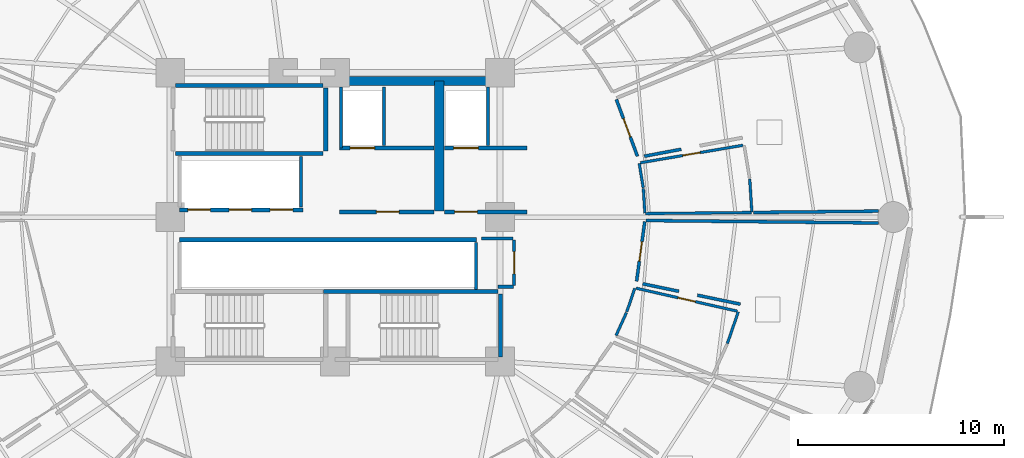
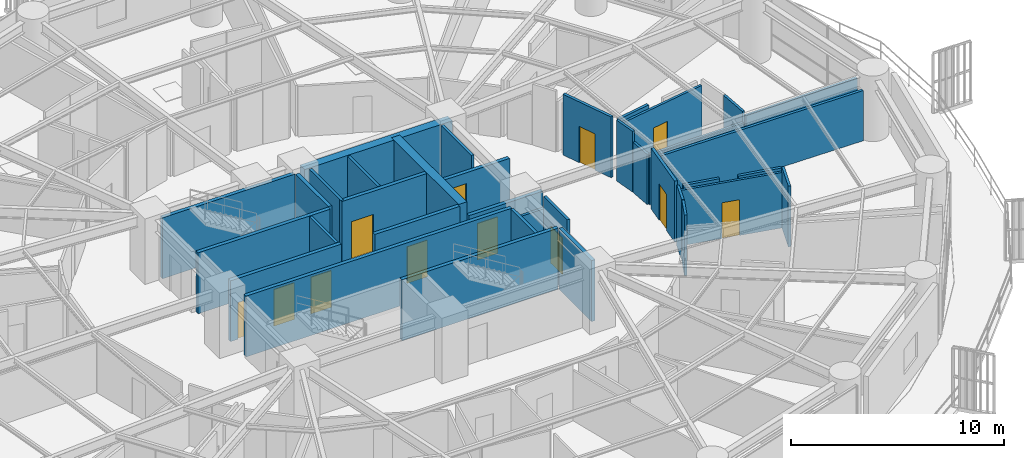
# One storey, part 26 of 35: 37 walls, 12 doors, 12 openings.
"""IFC4 building model written with IfcOpenShell, lengths in metres."""

from ifc_helpers import new_model, si_unit, direction, frame, frame_2d, origin, place, context, subcontext, project, spatial, rectangle, extrude, material, layer, layer_set, type_object, element, fill, save


model = new_model("IFC4")

# Units and contexts
model_context = context("Model", 3, precision=1e-05, world=origin(), true_north=direction((0.0, 1.0)))
body_context = subcontext(model_context, "Body", "Model", "MODEL_VIEW")
ifc_project = project(units=[si_unit("LENGTHUNIT", "METRE"), si_unit("AREAUNIT", "SQUARE_METRE"), si_unit("VOLUMEUNIT", "CUBIC_METRE"), si_unit("PLANEANGLEUNIT", "RADIAN"), si_unit("MASSUNIT", "GRAM", prefix="KILO")], contexts=[model_context])

# Site, building, storey
site_placement = place(None, origin())
site = spatial("IfcSite", under=ifc_project, at=site_placement, CompositionType="ELEMENT")
building_placement = place(site_placement, origin())
building = spatial("IfcBuilding", under=site, at=building_placement, Name="Kelanora Arch Commons", CompositionType="ELEMENT")
storey_placement = place(building_placement, frame((0.0, 0.0, 22.5)))
storey = spatial("IfcBuildingStorey", under=building, at=storey_placement, Name="L05", CompositionType="ELEMENT", Elevation=22.5)

# Walls
ifc_material_1 = material(Name="Autoclaved aerated concrete blockwork with fire plaster", Category="masonry")
ifc_layer_1 = layer(ifc_material_1, 0.14990234375)
ifc_layer_set_1 = layer_set([ifc_layer_1], Name="Autoclaved aerated concrete blockwork with fire plaster")
wall_type_1 = type_object("IfcWallType", Name="W-COMP-150", PredefinedType="PARTITIONING", material=ifc_layer_set_1)
wall_1_placement = place(storey_placement, frame((74.280029296875, 61.35009765625, 0.0), z_axis=(0.0, 0.0, 1.0), x_axis=(0.0, 1.0, 0.0)))
element("IfcWall", 1, at=wall_1_placement, inside=storey, type_object=wall_type_1, Name="Firefighting Lift 1 West Shaft Wall L05", PredefinedType="PARTITIONING", context=body_context, shape_type="SweptSolid", body=[
    extrude(rectangle(XDim=2.969970703125, YDim=0.14990234375, at=frame_2d((1.48486328125, 0.0))), origin(), (0.0, 0.0, 1.0), 3.47998046875),
])
for number, where, z_axis, x_axis, name in (
    (2, (76.360107421875, 61.47998046875, 0.0), (0.0, 0.0, 1.0), (0.0, 1.0, 0.0), "Firefighting Lift 1 East Shaft Wall L05"),
    (3, (81.419921875, 61.47998046875, 0.0), (0.0, 0.0, 1.0), (0.0, 1.0, 0.0), "Firefighting Lift 2 East Shaft Wall L05"),
):
    element("IfcWall", number, at=place(storey_placement, frame(where, z_axis=z_axis, x_axis=x_axis)), inside=storey, type_object=wall_type_1, Name=name, PredefinedType="PARTITIONING", context=body_context, shape_type="SweptSolid", body=[
        extrude(rectangle(XDim=2.840087890625, YDim=0.14990234375, at=frame_2d((1.419921875, 0.0))), origin(), (0.0, 0.0, 1.0), 3.47998046875),
    ])
wall_2_placement = place(storey_placement, frame((72.340087890625, 58.47998046875, 0.0), z_axis=(0.0, 0.0, 1.0), x_axis=(0.0, 1.0, 0.0)))
element("IfcWall", 4, at=wall_2_placement, inside=storey, type_object=wall_type_1, Name="Low-Rise Lift Bank East Wall L05", PredefinedType="PARTITIONING", context=body_context, shape_type="SweptSolid", body=[
    extrude(rectangle(XDim=2.4599609375, YDim=0.14990234375, at=frame_2d((1.22998046875, 0.0))), origin(), (0.0, 0.0, 1.0), 3.47998046875),
])
wall_3_placement = place(storey_placement, frame((80.840087890625, 54.47998046875, 0.0), z_axis=(0.0, 0.0, 1.0), x_axis=(0.0, 1.0, 0.0)))
element("IfcWall", 5, at=wall_3_placement, inside=storey, type_object=wall_type_1, Name="South Lift Bank East Wall L05", PredefinedType="PARTITIONING", context=body_context, shape_type="SweptSolid", body=[
    extrude(rectangle(XDim=2.2900390625, YDim=0.14990234375, at=frame_2d((1.14501953125, 0.0))), origin(), (0.0, 0.0, 1.0), 3.47998046875),
])

# Wall, opening, door
wall_4_placement = place(storey_placement, frame((82.679931640625, 54.679931640625, 0.0), z_axis=(0.0, 0.0, 1.0), x_axis=(0.0, 1.0, 0.0)))
wall_4 = element("IfcWall", 6, at=wall_4_placement, inside=storey, type_object=wall_type_1, Name="Core Housekeeping Store L05 Entry Partition", PredefinedType="PARTITIONING", context=body_context, shape_type="SweptSolid", body=[
    extrude(rectangle(XDim=2.2099609375, YDim=0.14990234375, at=frame_2d((1.10498046875, 0.0))), origin(), (0.0, 0.0, 1.0), 3.47998046875),
])
opening_1_placement = place(wall_4_placement, frame((0.56494140625, 0.0, 0.0)))
opening_1 = element("IfcOpeningElement", 7, at=opening_1_placement, cuts=wall_4, Name="Opening D-PLT1", PredefinedType="OPENING", context=body_context, shape_type="SweptSolid", body=[
    extrude(rectangle(XDim=1.080078125, YDim=2.10009765625, at=frame_2d((0.5400390625, 1.050048828125))), frame((0.0, 0.0849609375, 0.0), z_axis=(0.0, -1.0, 0.0), x_axis=(1.0, 0.0, 0.0)), (0.0, 0.0, 1.0), 0.169921875),
])
ifc_material_2 = material(Name="Galvanised steel plant and riser fire door", Category="steel")
door_type_1 = type_object("IfcDoorType", Name="D-PLT-110", OperationType="NOTDEFINED", PredefinedType="DOOR", material=ifc_material_2)
door_1_placement = place(opening_1_placement, origin())
door_1 = element("IfcDoor", 8, at=door_1_placement, inside=storey, type_object=door_type_1, Name="Core Housekeeping Store L05 Door", OperationType="SINGLE_SWING_LEFT", OverallHeight=2.10009765625, OverallWidth=1.080078125, PredefinedType="DOOR", context=body_context, shape_type="SweptSolid", body=[
    extrude(rectangle(XDim=1.080078125, YDim=2.10009765625, at=frame_2d((0.5400390625, 1.050048828125))), frame((0.0, 0.02490234375, 0.0), z_axis=(0.0, -1.0, 0.0), x_axis=(1.0, 0.0, 0.0)), (0.0, 0.0, 1.0), 0.050048828125),
])
fill(opening_1, door_1)

wall_5_placement = place(storey_placement, frame((88.6669921875, 60.9482421875, 0.0), z_axis=(0.0, 0.0, 1.0), x_axis=(-0.348640514247, 0.937256524024, 0.0)))
wall_5 = element("IfcWall", 9, at=wall_5_placement, inside=storey, type_object=wall_type_1, Name="Co-Living Studio L05-01 Entry Partition", PredefinedType="PARTITIONING", context=body_context, shape_type="SweptSolid", body=[
    extrude(rectangle(XDim=2.943115234375, YDim=0.14990234375, at=frame_2d((1.4716796875, 0.0))), origin(), (0.0, 0.0, 1.0), 3.47998046875),
])
opening_2_placement = place(wall_5_placement, frame((0.9970703125, 0.0, 0.0)))
opening_2 = element("IfcOpeningElement", 10, at=opening_2_placement, cuts=wall_5, Name="Opening D-CLU1", PredefinedType="OPENING", context=body_context, shape_type="SweptSolid", body=[
    extrude(rectangle(XDim=0.949951171875, YDim=2.080078125, at=frame_2d((0.47509765625, 1.0400390625))), frame((0.0, 0.0849609375, 0.0), z_axis=(0.0, -1.0, 0.0), x_axis=(1.0, 0.0, 0.0)), (0.0, 0.0, 1.0), 0.169921875),
])
ifc_material_3 = material(Name="Solid-core acoustic timber cluster entry fire door", Category="wood")
door_type_2 = type_object("IfcDoorType", Name="D-CLU-95", OperationType="NOTDEFINED", PredefinedType="DOOR", material=ifc_material_3)
door_2_placement = place(opening_2_placement, origin())
door_2 = element("IfcDoor", 11, at=door_2_placement, inside=storey, type_object=door_type_2, Name="Co-Living Studio L05-01 Door", OperationType="SINGLE_SWING_LEFT", OverallHeight=2.080078125, OverallWidth=0.949951171875, PredefinedType="DOOR", context=body_context, shape_type="SweptSolid", body=[
    extrude(rectangle(XDim=0.949951171875, YDim=2.080078125, at=frame_2d((0.47509765625, 1.0400390625))), frame((0.0, 0.02490234375, 0.0), z_axis=(0.0, -1.0, 0.0), x_axis=(1.0, 0.0, 0.0)), (0.0, 0.0, 1.0), 0.050048828125),
])
fill(opening_2, door_2)

wall_6_placement = place(storey_placement, frame((88.625, 54.885498046875, 0.0), z_axis=(0.0, 0.0, 1.0), x_axis=(0.135838186105, 0.990731036758, 0.0)))
wall_6 = element("IfcWall", 12, at=wall_6_placement, inside=storey, type_object=wall_type_1, Name="Co-Living Studio L05-14 Entry Partition", PredefinedType="PARTITIONING", context=body_context, shape_type="SweptSolid", body=[
    extrude(rectangle(XDim=2.915283203125, YDim=0.14990234375, at=frame_2d((1.45751953125, 0.0))), origin(), (0.0, 0.0, 1.0), 3.47998046875),
])
opening_3_placement = place(wall_6_placement, frame((0.98291015625, 0.0, 0.0)))
opening_3 = element("IfcOpeningElement", 13, at=opening_3_placement, cuts=wall_6, Name="Opening D-CLU1", PredefinedType="OPENING", context=body_context, shape_type="SweptSolid", body=[
    extrude(rectangle(XDim=0.949951171875, YDim=2.080078125, at=frame_2d((0.47509765625, 1.0400390625))), frame((0.0, 0.0849609375, 0.0), z_axis=(0.0, -1.0, 0.0), x_axis=(1.0, 0.0, 0.0)), (0.0, 0.0, 1.0), 0.169921875),
])
door_3_placement = place(opening_3_placement, origin())
door_3 = element("IfcDoor", 14, at=door_3_placement, inside=storey, type_object=door_type_2, Name="Co-Living Studio L05-14 Door", OperationType="SINGLE_SWING_LEFT", OverallHeight=2.080078125, OverallWidth=0.949951171875, PredefinedType="DOOR", context=body_context, shape_type="SweptSolid", body=[
    extrude(rectangle(XDim=0.949951171875, YDim=2.080078125, at=frame_2d((0.47509765625, 1.0400390625))), frame((0.0, 0.02490234375, 0.0), z_axis=(0.0, -1.0, 0.0), x_axis=(1.0, 0.0, 0.0)), (0.0, 0.0, 1.0), 0.050048828125),
])
fill(opening_3, door_3)

# Walls
wall_7_placement = place(storey_placement, frame((81.89990234375, 54.6201171875, 0.0), z_axis=(0.0, 0.0, 1.0), x_axis=(1.0, 0.0, 0.0)))
element("IfcWall", 15, at=wall_7_placement, inside=storey, type_object=wall_type_1, Name="Core Housekeeping Store L05 Enclosure Partition 1", PredefinedType="PARTITIONING", context=body_context, shape_type="SweptSolid", body=[
    extrude(rectangle(XDim=0.739990234375, YDim=0.14990234375, at=frame_2d((0.3701171875, 0.0))), origin(), (0.0, 0.0, 1.0), 2.77490234375),
])
wall_8_placement = place(storey_placement, frame((82.639892578125, 56.949951171875, 0.0), z_axis=(0.0, 0.0, 1.0), x_axis=(-1.0, 0.0, 0.0)))
element("IfcWall", 16, at=wall_8_placement, inside=storey, type_object=wall_type_1, Name="Core Housekeeping Store L05 Enclosure Partition 3", PredefinedType="PARTITIONING", context=body_context, shape_type="SweptSolid", body=[
    extrude(rectangle(XDim=1.5498046875, YDim=0.14990234375, at=frame_2d((0.77490234375, 0.0))), origin(), (0.0, 0.0, 1.0), 2.77490234375),
])
wall_9_placement = place(storey_placement, frame((100.360107421875, 58.287109375, 0.0), z_axis=(0.0, 0.0, 1.0), x_axis=(-0.999943071294, -0.010670246996, 0.0)))
element("IfcWall", 17, at=wall_9_placement, inside=storey, type_object=wall_type_1, Name="Co-Living Studio L05-01 Enclosure Partition 5", PredefinedType="PARTITIONING", context=body_context, shape_type="SweptSolid", body=[
    extrude(rectangle(XDim=6.063232421875, YDim=0.14990234375, at=frame_2d((3.03173828125, 0.0))), origin(), (0.0, 0.0, 1.0), 3.235107421875),
])
wall_10_placement = place(storey_placement, frame((90.7890625, 61.289306640625, 0.0), z_axis=(0.0, 0.0, 1.0), x_axis=(-0.98259072308, -0.185783397852, 0.0)))
element("IfcWall", 18, at=wall_10_placement, inside=storey, type_object=wall_type_1, Name="Co-Living Studio L05-01 Enclosure Partition 7", PredefinedType="PARTITIONING", context=body_context, shape_type="SweptSolid", body=[
    extrude(rectangle(XDim=1.823974609375, YDim=0.14990234375, at=frame_2d((0.912109375, 0.0))), origin(), (0.0, 0.0, 1.0), 3.235107421875),
])
wall_11_placement = place(storey_placement, frame((89.069091796875, 57.83251953125, 0.0), z_axis=(0.0, 0.0, 1.0), x_axis=(0.999943877154, -0.010594458135, 0.0)))
element("IfcWall", 19, at=wall_11_placement, inside=storey, type_object=wall_type_1, Name="Co-Living Studio L05-14 Enclosure Partition 2", PredefinedType="PARTITIONING", context=body_context, shape_type="SweptSolid", body=[
    extrude(rectangle(XDim=11.291748046875, YDim=0.14990234375, at=frame_2d((5.64599609375, 0.0))), origin(), (0.0, 0.0, 1.0), 2.875),
])
wall_12_placement = place(storey_placement, frame((93.662841796875, 53.773193359375, 0.0), z_axis=(0.0, 0.0, 1.0), x_axis=(-0.978922282622, 0.204233113343, 0.0)))
element("IfcWall", 20, at=wall_12_placement, inside=storey, type_object=wall_type_1, Name="Co-Living Studio L05-14 Enclosure Partition 7", PredefinedType="PARTITIONING", context=body_context, shape_type="SweptSolid", body=[
    extrude(rectangle(XDim=2.132568359375, YDim=0.14990234375, at=frame_2d((1.06640625, 0.0))), origin(), (0.0, 0.0, 1.0), 3.175048828125),
])
wall_13_placement = place(storey_placement, frame((90.674560546875, 54.396728515625, 0.0), z_axis=(0.0, 0.0, 1.0), x_axis=(-0.978929424395, 0.204198878681, 0.0)))
element("IfcWall", 21, at=wall_13_placement, inside=storey, type_object=wall_type_1, Name="Co-Living Studio L05-14 Enclosure Partition 7", PredefinedType="PARTITIONING", context=body_context, shape_type="SweptSolid", body=[
    extrude(rectangle(XDim=1.79345703125, YDim=0.14990234375, at=frame_2d((0.896728515625, 0.0))), origin(), (0.0, 0.0, 1.0), 3.235107421875),
])
ifc_material_4 = material(Name="Concrete C60/75", Category="concrete")
ifc_layer_2 = layer(ifc_material_4, 0.449951171875)
ifc_layer_set_2 = layer_set([ifc_layer_2], Name="Concrete C60/75")
wall_type_2 = type_object("IfcWallType", Name="W-CORE-450", PredefinedType="SHEAR", material=ifc_layer_set_2)
wall_14_placement = place(storey_placement, frame((74.0, 64.60009765625, 0.0), z_axis=(0.0, 0.0, 1.0), x_axis=(1.0, 0.0, 0.0)))
element("IfcWall", 22, at=wall_14_placement, inside=storey, type_object=wall_type_2, Name="Core Shear Spine L05-CN-E", PredefinedType="SHEAR", context=body_context, shape_type="SweptSolid", body=[
    extrude(rectangle(XDim=8.0, YDim=0.449951171875, at=frame_2d((4.0, 0.0))), origin(), (0.0, 0.0, 1.0), 3.489990234375),
])
wall_15_placement = place(storey_placement, frame((79.050048828125, 58.300048828125, 0.0), z_axis=(0.0, 0.0, 1.0), x_axis=(0.0, 1.0, 0.0)))
element("IfcWall", 23, at=wall_15_placement, inside=storey, type_object=wall_type_2, Name="Core Shear Spine L05-CE-N", PredefinedType="SHEAR", context=body_context, shape_type="SweptSolid", body=[
    extrude(rectangle(XDim=6.300048828125, YDim=0.449951171875, at=frame_2d((3.14990234375, 0.0))), origin(), (0.0, 0.0, 1.0), 3.489990234375),
])

# Wall, opening, door
ifc_material_5 = material(Name="Concrete C40/50", Category="concrete")
ifc_layer_3 = layer(ifc_material_5, 0.199951171875)
ifc_layer_set_3 = layer_set([ifc_layer_3], Name="Concrete C40/50")
wall_type_3 = type_object("IfcWallType", Name="W-FFL-200", PredefinedType="SOLIDWALL", material=ifc_layer_set_3)
wall_16_placement = place(storey_placement, frame((74.199951171875, 61.35009765625, 0.0), z_axis=(0.0, 0.0, 1.0), x_axis=(1.0, 0.0, 0.0)))
wall_16 = element("IfcWall", 24, at=wall_16_placement, inside=storey, type_object=wall_type_3, Name="Firefighting Lift 1 Shaft Front L05", PredefinedType="SOLIDWALL", context=body_context, shape_type="SweptSolid", body=[
    extrude(rectangle(XDim=4.60009765625, YDim=0.199951171875, at=frame_2d((2.300048828125, 0.0))), origin(), (0.0, 0.0, 1.0), 3.47998046875),
])
opening_4_placement = place(wall_16_placement, frame((0.52001953125, 0.0, 0.0)))
opening_4 = element("IfcOpeningElement", 25, at=opening_4_placement, cuts=wall_16, Name="Opening LD-FF", PredefinedType="OPENING", context=body_context, shape_type="SweptSolid", body=[
    extrude(rectangle(XDim=1.199951171875, YDim=2.14990234375, at=frame_2d((0.60009765625, 1.074951171875))), frame((0.0, 0.10986328125, 0.0), z_axis=(0.0, -1.0, 0.0), x_axis=(1.0, 0.0, 0.0)), (0.0, 0.0, 1.0), 0.219970703125),
])
ifc_material_6 = material(Name="Fire-rated firefighters lift sliding landing door")
door_type_3 = type_object("IfcDoorType", Name="D-LIFT-FF", OperationType="NOTDEFINED", PredefinedType="DOOR", material=ifc_material_6)
door_4_placement = place(opening_4_placement, origin())
door_4 = element("IfcDoor", 26, at=door_4_placement, inside=storey, type_object=door_type_3, Name="Firefighting Lift LF-FF1 Landing Door L05", OperationType="DOUBLE_DOOR_SLIDING", OverallHeight=2.14990234375, OverallWidth=1.199951171875, PredefinedType="DOOR", context=body_context, shape_type="SweptSolid", body=[
    extrude(rectangle(XDim=1.199951171875, YDim=2.14990234375, at=frame_2d((0.60009765625, 1.074951171875))), frame((0.0, 0.02490234375, 0.0), z_axis=(0.0, -1.0, 0.0), x_axis=(1.0, 0.0, 0.0)), (0.0, 0.0, 1.0), 0.050048828125),
])
fill(opening_4, door_4)

wall_17_placement = place(storey_placement, frame((79.300048828125, 61.35009765625, 0.0), z_axis=(0.0, 0.0, 1.0), x_axis=(1.0, 0.0, 0.0)))
wall_17 = element("IfcWall", 27, at=wall_17_placement, inside=storey, type_object=wall_type_3, Name="Firefighting Lift 2 Shaft Front L05", PredefinedType="SOLIDWALL", context=body_context, shape_type="SweptSolid", body=[
    extrude(rectangle(XDim=4.0, YDim=0.199951171875, at=frame_2d((2.0, 0.0))), origin(), (0.0, 0.0, 1.0), 2.77490234375),
])
opening_5_placement = place(wall_17_placement, frame((0.449951171875, 0.0, 0.0)))
opening_5 = element("IfcOpeningElement", 28, at=opening_5_placement, cuts=wall_17, Name="Opening LD-FF", PredefinedType="OPENING", context=body_context, shape_type="SweptSolid", body=[
    extrude(rectangle(XDim=1.199951171875, YDim=2.14990234375, at=frame_2d((0.60009765625, 1.074951171875))), frame((0.0, 0.10986328125, 0.0), z_axis=(0.0, -1.0, 0.0), x_axis=(1.0, 0.0, 0.0)), (0.0, 0.0, 1.0), 0.219970703125),
])
door_5_placement = place(opening_5_placement, origin())
door_5 = element("IfcDoor", 29, at=door_5_placement, inside=storey, type_object=door_type_3, Name="Firefighting Lift LF-FF2 Landing Door L05", OperationType="DOUBLE_DOOR_SLIDING", OverallHeight=2.14990234375, OverallWidth=1.199951171875, PredefinedType="DOOR", context=body_context, shape_type="SweptSolid", body=[
    extrude(rectangle(XDim=1.199951171875, YDim=2.14990234375, at=frame_2d((0.60009765625, 1.074951171875))), frame((0.0, 0.02490234375, 0.0), z_axis=(0.0, -1.0, 0.0), x_axis=(1.0, 0.0, 0.0)), (0.0, 0.0, 1.0), 0.050048828125),
])
fill(opening_5, door_5)

wall_18_placement = place(storey_placement, frame((74.199951171875, 58.25, 0.0), z_axis=(0.0, 0.0, 1.0), x_axis=(1.0, 0.0, 0.0)))
wall_18 = element("IfcWall", 30, at=wall_18_placement, inside=storey, type_object=wall_type_3, Name="Firefighting Lobby 1 Enclosure Wall L05", PredefinedType="SOLIDWALL", context=body_context, shape_type="SweptSolid", body=[
    extrude(rectangle(XDim=4.60009765625, YDim=0.199951171875, at=frame_2d((2.300048828125, 0.0))), origin(), (0.0, 0.0, 1.0), 3.47998046875),
])
opening_6_placement = place(wall_18_placement, frame((1.800048828125, 0.0, 0.0)))
opening_6 = element("IfcOpeningElement", 31, at=opening_6_placement, cuts=wall_18, Name="Opening D-FFL1", PredefinedType="OPENING", context=body_context, shape_type="SweptSolid", body=[
    extrude(rectangle(XDim=1.10009765625, YDim=2.10009765625, at=frame_2d((0.550048828125, 1.050048828125))), frame((0.0, 0.10986328125, 0.0), z_axis=(0.0, -1.0, 0.0), x_axis=(1.0, 0.0, 0.0)), (0.0, 0.0, 1.0), 0.219970703125),
])
ifc_material_7 = material(Name="Smoke-sealed firefighting lobby fire door")
door_type_4 = type_object("IfcDoorType", Name="D-FFL-110", OperationType="NOTDEFINED", PredefinedType="DOOR", material=ifc_material_7)
door_6_placement = place(opening_6_placement, frame((1.10009765625, 0.0, 0.0), z_axis=(0.0, 0.0, 1.0), x_axis=(-1.0, 0.0, 0.0)))
door_6 = element("IfcDoor", 32, at=door_6_placement, inside=storey, type_object=door_type_4, Name="Firefighting Lobby 1 Door L05", OperationType="SINGLE_SWING_LEFT", OverallHeight=2.10009765625, OverallWidth=1.10009765625, PredefinedType="DOOR", context=body_context, shape_type="SweptSolid", body=[
    extrude(rectangle(XDim=1.10009765625, YDim=2.10009765625, at=frame_2d((0.550048828125, 1.050048828125))), frame((0.0, 0.02490234375, 0.0), z_axis=(0.0, -1.0, 0.0), x_axis=(1.0, 0.0, 0.0)), (0.0, 0.0, 1.0), 0.050048828125),
])
fill(opening_6, door_6)

wall_19_placement = place(storey_placement, frame((79.300048828125, 58.25, 0.0), z_axis=(0.0, 0.0, 1.0), x_axis=(1.0, 0.0, 0.0)))
wall_19 = element("IfcWall", 33, at=wall_19_placement, inside=storey, type_object=wall_type_3, Name="Firefighting Lobby 2 Enclosure Wall L05", PredefinedType="SOLIDWALL", context=body_context, shape_type="SweptSolid", body=[
    extrude(rectangle(XDim=4.0, YDim=0.199951171875, at=frame_2d((2.0, 0.0))), origin(), (0.0, 0.0, 1.0), 2.77490234375),
])
opening_7_placement = place(wall_19_placement, frame((0.5, 0.0, 0.0)))
opening_7 = element("IfcOpeningElement", 34, at=opening_7_placement, cuts=wall_19, Name="Opening D-FFL1", PredefinedType="OPENING", context=body_context, shape_type="SweptSolid", body=[
    extrude(rectangle(XDim=1.10009765625, YDim=2.10009765625, at=frame_2d((0.550048828125, 1.050048828125))), frame((0.0, 0.10986328125, 0.0), z_axis=(0.0, -1.0, 0.0), x_axis=(1.0, 0.0, 0.0)), (0.0, 0.0, 1.0), 0.219970703125),
])
door_7_placement = place(opening_7_placement, frame((1.10009765625, 0.0, 0.0), z_axis=(0.0, 0.0, 1.0), x_axis=(-1.0, 0.0, 0.0)))
door_7 = element("IfcDoor", 35, at=door_7_placement, inside=storey, type_object=door_type_4, Name="Firefighting Lobby 2 Door L05", OperationType="SINGLE_SWING_RIGHT", OverallHeight=2.10009765625, OverallWidth=1.10009765625, PredefinedType="DOOR", context=body_context, shape_type="SweptSolid", body=[
    extrude(rectangle(XDim=1.10009765625, YDim=2.10009765625, at=frame_2d((0.550048828125, 1.050048828125))), frame((0.0, 0.02490234375, 0.0), z_axis=(0.0, -1.0, 0.0), x_axis=(1.0, 0.0, 0.0)), (0.0, 0.0, 1.0), 0.050048828125),
])
fill(opening_7, door_7)

# Wall, openings, doors
wall_20_placement = place(storey_placement, frame((66.449951171875, 58.35009765625, 0.0), z_axis=(0.0, 0.0, 1.0), x_axis=(1.0, 0.0, 0.0)))
wall_20 = element("IfcWall", 36, at=wall_20_placement, inside=storey, type_object=wall_type_3, Name="Low-Rise Passenger Lift Shaft Front L05", PredefinedType="SOLIDWALL", context=body_context, shape_type="SweptSolid", body=[
    extrude(rectangle(XDim=6.0, YDim=0.199951171875, at=frame_2d((3.0, 0.0))), origin(), (0.0, 0.0, 1.0), 3.47998046875),
])
opening_8_placement = place(wall_20_placement, frame((0.39990234375, 0.0, 0.0)))
opening_8 = element("IfcOpeningElement", 37, at=opening_8_placement, cuts=wall_20, Name="Opening LD-01", PredefinedType="OPENING", context=body_context, shape_type="SweptSolid", body=[
    extrude(rectangle(XDim=1.10009765625, YDim=2.10009765625, at=frame_2d((0.550048828125, 1.050048828125))), frame((0.0, 0.10986328125, 0.0), z_axis=(0.0, -1.0, 0.0), x_axis=(1.0, 0.0, 0.0)), (0.0, 0.0, 1.0), 0.219970703125),
])
opening_9_placement = place(wall_20_placement, frame((2.39990234375, 0.0, 0.0)))
opening_9 = element("IfcOpeningElement", 38, at=opening_9_placement, cuts=wall_20, Name="Opening LD-01", PredefinedType="OPENING", context=body_context, shape_type="SweptSolid", body=[
    extrude(rectangle(XDim=1.10009765625, YDim=2.10009765625, at=frame_2d((0.550048828125, 1.050048828125))), frame((0.0, 0.10986328125, 0.0), z_axis=(0.0, -1.0, 0.0), x_axis=(1.0, 0.0, 0.0)), (0.0, 0.0, 1.0), 0.219970703125),
])
opening_10_placement = place(wall_20_placement, frame((4.39990234375, 0.0, 0.0)))
opening_10 = element("IfcOpeningElement", 39, at=opening_10_placement, cuts=wall_20, Name="Opening LD-01", PredefinedType="OPENING", context=body_context, shape_type="SweptSolid", body=[
    extrude(rectangle(XDim=1.10009765625, YDim=2.10009765625, at=frame_2d((0.550048828125, 1.050048828125))), frame((0.0, 0.10986328125, 0.0), z_axis=(0.0, -1.0, 0.0), x_axis=(1.0, 0.0, 0.0)), (0.0, 0.0, 1.0), 0.219970703125),
])
ifc_material_8 = material(Name="Stainless steel passenger lift sliding landing door", Category="steel")
door_type_5 = type_object("IfcDoorType", Name="D-LIFT-110", OperationType="NOTDEFINED", PredefinedType="DOOR", material=ifc_material_8)
door_8_placement = place(opening_8_placement, origin())
door_8 = element("IfcDoor", 40, at=door_8_placement, inside=storey, type_object=door_type_5, Name="Passenger Lift LF-P1 Landing Door L05", OperationType="DOUBLE_DOOR_SLIDING", OverallHeight=2.10009765625, OverallWidth=1.10009765625, PredefinedType="DOOR", context=body_context, shape_type="SweptSolid", body=[
    extrude(rectangle(XDim=1.10009765625, YDim=2.10009765625, at=frame_2d((0.550048828125, 1.050048828125))), frame((0.0, 0.02490234375, 0.0), z_axis=(0.0, -1.0, 0.0), x_axis=(1.0, 0.0, 0.0)), (0.0, 0.0, 1.0), 0.050048828125),
])
fill(opening_8, door_8)
door_9_placement = place(opening_9_placement, origin())
door_9 = element("IfcDoor", 41, at=door_9_placement, inside=storey, type_object=door_type_5, Name="Passenger Lift LF-P2 Landing Door L05", OperationType="DOUBLE_DOOR_SLIDING", OverallHeight=2.10009765625, OverallWidth=1.10009765625, PredefinedType="DOOR", context=body_context, shape_type="SweptSolid", body=[
    extrude(rectangle(XDim=1.10009765625, YDim=2.10009765625, at=frame_2d((0.550048828125, 1.050048828125))), frame((0.0, 0.02490234375, 0.0), z_axis=(0.0, -1.0, 0.0), x_axis=(1.0, 0.0, 0.0)), (0.0, 0.0, 1.0), 0.050048828125),
])
fill(opening_9, door_9)
door_10_placement = place(opening_10_placement, origin())
door_10 = element("IfcDoor", 42, at=door_10_placement, inside=storey, type_object=door_type_5, Name="Passenger Lift LF-P3 Landing Door L05", OperationType="DOUBLE_DOOR_SLIDING", OverallHeight=2.10009765625, OverallWidth=1.10009765625, PredefinedType="DOOR", context=body_context, shape_type="SweptSolid", body=[
    extrude(rectangle(XDim=1.10009765625, YDim=2.10009765625, at=frame_2d((0.550048828125, 1.050048828125))), frame((0.0, 0.02490234375, 0.0), z_axis=(0.0, -1.0, 0.0), x_axis=(1.0, 0.0, 0.0)), (0.0, 0.0, 1.0), 0.050048828125),
])
fill(opening_10, door_10)

# Walls
wall_21_placement = place(storey_placement, frame((66.449951171875, 56.89990234375, 0.0), z_axis=(0.0, 0.0, 1.0), x_axis=(1.0, 0.0, 0.0)))
element("IfcWall", 43, at=wall_21_placement, inside=storey, type_object=wall_type_3, Name="Mid/High/Express Lift Shaft Front L05", PredefinedType="SOLIDWALL", context=body_context, shape_type="SweptSolid", body=[
    extrude(rectangle(XDim=14.400146484375, YDim=0.199951171875, at=frame_2d((7.2001953125, 0.0))), origin(), (0.0, 0.0, 1.0), 3.47998046875),
])
ifc_layer_4 = layer(ifc_material_5, 0.199951171875)
ifc_layer_set_4 = layer_set([ifc_layer_4], Name="Concrete C40/50")
wall_type_4 = type_object("IfcWallType", Name="W-STAIR-200", PredefinedType="SHEAR", material=ifc_layer_set_4)
wall_22_placement = place(storey_placement, frame((66.260009765625, 61.080078125, 0.0), z_axis=(0.0, 0.0, 1.0), x_axis=(1.0, 0.0, 0.0)))
element("IfcWall", 44, at=wall_22_placement, inside=storey, type_object=wall_type_4, Name="Stair ST-T1 Shaft Wall S L05", PredefinedType="SHEAR", context=body_context, shape_type="SweptSolid", body=[
    extrude(rectangle(XDim=7.159912109375, YDim=0.199951171875, at=frame_2d((3.580078125, 0.0))), origin(), (0.0, 0.0, 1.0), 3.489990234375),
])
wall_23_placement = place(storey_placement, frame((73.5400390625, 61.199951171875, 0.0), z_axis=(0.0, 0.0, 1.0), x_axis=(0.0, 1.0, 0.0)))
element("IfcWall", 45, at=wall_23_placement, inside=storey, type_object=wall_type_4, Name="Stair ST-T1 Shaft Wall E L05", PredefinedType="SHEAR", context=body_context, shape_type="SweptSolid", body=[
    extrude(rectangle(XDim=3.070068359375, YDim=0.199951171875, at=frame_2d((1.53515625, 0.0))), origin(), (0.0, 0.0, 1.0), 3.489990234375),
])
wall_24_placement = place(storey_placement, frame((73.419921875, 64.389892578125, 0.0), z_axis=(0.0, 0.0, 1.0), x_axis=(-1.0, 0.0, 0.0)))
element("IfcWall", 46, at=wall_24_placement, inside=storey, type_object=wall_type_4, Name="Stair ST-T1 Shaft Wall N L05", PredefinedType="SHEAR", context=body_context, shape_type="SweptSolid", body=[
    extrude(rectangle(XDim=7.159912109375, YDim=0.199951171875, at=frame_2d((3.580078125, 0.0))), origin(), (0.0, 0.0, 1.0), 3.489990234375),
])
wall_25_placement = place(storey_placement, frame((82.02001953125, 51.199951171875, 0.0), z_axis=(0.0, 0.0, 1.0), x_axis=(0.0, 1.0, 0.0)))
element("IfcWall", 47, at=wall_25_placement, inside=storey, type_object=wall_type_4, Name="Stair ST-T2 Shaft Wall E L05", PredefinedType="SHEAR", context=body_context, shape_type="SweptSolid", body=[
    extrude(rectangle(XDim=3.070068359375, YDim=0.199951171875, at=frame_2d((1.53515625, 0.0))), origin(), (0.0, 0.0, 1.0), 3.489990234375),
])
wall_26_placement = place(storey_placement, frame((81.89990234375, 54.389892578125, 0.0), z_axis=(0.0, 0.0, 1.0), x_axis=(-1.0, 0.0, 0.0)))
element("IfcWall", 48, at=wall_26_placement, inside=storey, type_object=wall_type_4, Name="Stair ST-T2 Shaft Wall N L05", PredefinedType="SHEAR", context=body_context, shape_type="SweptSolid", body=[
    extrude(rectangle(XDim=8.4599609375, YDim=0.199951171875, at=frame_2d((4.22998046875, 0.0))), origin(), (0.0, 0.0, 1.0), 3.489990234375),
])

# Wall, opening, door
ifc_material_9 = material(Name="Moisture-resistant fire-rated cement-board plumbing wall")
ifc_layer_5 = layer(ifc_material_9, 0.1298828125)
ifc_layer_set_5 = layer_set([ifc_layer_5], Name="Moisture-resistant fire-rated cement-board plumbing wall")
wall_type_5 = type_object("IfcWallType", Name="W-WET-120", PredefinedType="PLUMBINGWALL", material=ifc_layer_set_5)
wall_27_placement = place(storey_placement, frame((88.80810546875, 60.634033203125, 0.0), z_axis=(0.0, 0.0, 1.0), x_axis=(0.985746995542, 0.168234540986, 0.0)))
wall_27 = element("IfcWall", 49, at=wall_27_placement, inside=storey, type_object=wall_type_5, Name="En-Suite Shower WC L05-01 Entry Partition", PredefinedType="PLUMBINGWALL", context=body_context, shape_type="SweptSolid", body=[
    extrude(rectangle(XDim=5.0458984375, YDim=0.1298828125, at=frame_2d((2.52294921875, 0.0))), origin(), (0.0, 0.0, 1.0), 3.175048828125),
])
opening_11_placement = place(wall_27_placement, frame((2.093017578125, 0.0, 0.0)))
opening_11 = element("IfcOpeningElement", 50, at=opening_11_placement, cuts=wall_27, Name="Opening D-BT1", PredefinedType="OPENING", context=body_context, shape_type="SweptSolid", body=[
    extrude(rectangle(XDim=0.860107421875, YDim=2.050048828125, at=frame_2d((0.43017578125, 1.02490234375))), frame((0.0, 0.074951171875, 0.0), z_axis=(0.0, -1.0, 0.0), x_axis=(1.0, 0.0, 0.0)), (0.0, 0.0, 1.0), 0.14990234375),
])
ifc_material_10 = material(Name="Moisture-sealed fire-rated accessible bathroom door")
door_type_6 = type_object("IfcDoorType", Name="D-BATH-85", OperationType="NOTDEFINED", PredefinedType="DOOR", material=ifc_material_10)
door_11_placement = place(opening_11_placement, origin())
door_11 = element("IfcDoor", 51, at=door_11_placement, inside=storey, type_object=door_type_6, Name="En-Suite Shower WC L05-01 Door", OperationType="SINGLE_SWING_RIGHT", OverallHeight=2.050048828125, OverallWidth=0.860107421875, PredefinedType="DOOR", context=body_context, shape_type="SweptSolid", body=[
    extrude(rectangle(XDim=0.860107421875, YDim=2.050048828125, at=frame_2d((0.43017578125, 1.02490234375))), frame((0.0, 0.02490234375, 0.0), z_axis=(0.0, -1.0, 0.0), x_axis=(1.0, 0.0, 0.0)), (0.0, 0.0, 1.0), 0.050048828125),
])
fill(opening_11, door_11)

wall_28_placement = place(storey_placement, frame((88.6025390625, 54.547607421875, 0.0), z_axis=(0.0, 0.0, 1.0), x_axis=(0.975187669184, -0.221379786503, 0.0)))
wall_28 = element("IfcWall", 52, at=wall_28_placement, inside=storey, type_object=wall_type_5, Name="En-Suite Shower WC L05-14 Entry Partition", PredefinedType="PLUMBINGWALL", context=body_context, shape_type="SweptSolid", body=[
    extrude(rectangle(XDim=5.02880859375, YDim=0.1298828125, at=frame_2d((2.514404296875, 0.0))), origin(), (0.0, 0.0, 1.0), 3.175048828125),
])
opening_12_placement = place(wall_28_placement, frame((2.083984375, 0.0, 0.0)))
opening_12 = element("IfcOpeningElement", 53, at=opening_12_placement, cuts=wall_28, Name="Opening D-BT1", PredefinedType="OPENING", context=body_context, shape_type="SweptSolid", body=[
    extrude(rectangle(XDim=0.860107421875, YDim=2.050048828125, at=frame_2d((0.43017578125, 1.02490234375))), frame((0.0, 0.074951171875, 0.0), z_axis=(0.0, -1.0, 0.0), x_axis=(1.0, 0.0, 0.0)), (0.0, 0.0, 1.0), 0.14990234375),
])
door_12_placement = place(opening_12_placement, origin())
door_12 = element("IfcDoor", 54, at=door_12_placement, inside=storey, type_object=door_type_6, Name="En-Suite Shower WC L05-14 Door", OperationType="SINGLE_SWING_RIGHT", OverallHeight=2.050048828125, OverallWidth=0.860107421875, PredefinedType="DOOR", context=body_context, shape_type="SweptSolid", body=[
    extrude(rectangle(XDim=0.860107421875, YDim=2.050048828125, at=frame_2d((0.43017578125, 1.02490234375))), frame((0.0, 0.02490234375, 0.0), z_axis=(0.0, -1.0, 0.0), x_axis=(1.0, 0.0, 0.0)), (0.0, 0.0, 1.0), 0.050048828125),
])
fill(opening_12, door_12)

# Walls
wall_29_placement = place(storey_placement, frame((89.027587890625, 58.18701171875, 0.0), z_axis=(0.0, 0.0, 1.0), x_axis=(-0.063661240763, 0.99797156594, 0.0)))
element("IfcWall", 55, at=wall_29_placement, inside=storey, type_object=wall_type_5, Name="En-Suite Shower WC L05-01 Enclosure Partition 1", PredefinedType="PLUMBINGWALL", context=body_context, shape_type="SweptSolid", body=[
    extrude(rectangle(XDim=1.196533203125, YDim=0.1298828125, at=frame_2d((0.59814453125, 0.0))), origin(), (0.0, 0.0, 1.0), 2.875),
])
wall_30_placement = place(storey_placement, frame((88.94677734375, 59.420654296875, 0.0), z_axis=(0.0, 0.0, 1.0), x_axis=(-0.162220174474, 0.986754587014, 0.0)))
element("IfcWall", 56, at=wall_30_placement, inside=storey, type_object=wall_type_5, Name="En-Suite Shower WC L05-01 Enclosure Partition 2", PredefinedType="PLUMBINGWALL", context=body_context, shape_type="SweptSolid", body=[
    extrude(rectangle(XDim=1.199462890625, YDim=0.1298828125, at=frame_2d((0.599609375, 0.0))), origin(), (0.0, 0.0, 1.0), 3.47998046875),
])
wall_31_placement = place(storey_placement, frame((94.11328125, 59.844970703125, 0.0), z_axis=(0.0, 0.0, 1.0), x_axis=(0.06383542257, -0.997960439509, 0.0)))
element("IfcWall", 57, at=wall_31_placement, inside=storey, type_object=wall_type_5, Name="En-Suite Shower WC L05-01 Enclosure Partition 5", PredefinedType="PLUMBINGWALL", context=body_context, shape_type="SweptSolid", body=[
    extrude(rectangle(XDim=1.606201171875, YDim=0.1298828125, at=frame_2d((0.80322265625, 0.0))), origin(), (0.0, 0.0, 1.0), 3.47998046875),
])
wall_32_placement = place(storey_placement, frame((94.197021484375, 58.2216796875, 0.0), z_axis=(0.0, 0.0, 1.0), x_axis=(-0.999944081579, -0.010575146078, 0.0)))
element("IfcWall", 58, at=wall_32_placement, inside=storey, type_object=wall_type_5, Name="En-Suite Shower WC L05-01 Enclosure Partition 6", PredefinedType="PLUMBINGWALL", context=body_context, shape_type="SweptSolid", body=[
    extrude(rectangle(XDim=5.148193359375, YDim=0.1298828125, at=frame_2d((2.57421875, 0.0))), origin(), (0.0, 0.0, 1.0), 2.875),
])
wall_33_placement = place(storey_placement, frame((87.62841796875, 52.255126953125, 0.0), z_axis=(0.0, 0.0, 1.0), x_axis=(0.4138937247, 0.910325208183, 0.0)))
element("IfcWall", 59, at=wall_33_placement, inside=storey, type_object=wall_type_5, Name="En-Suite Shower WC L05-14 Enclosure Partition 1", PredefinedType="PLUMBINGWALL", context=body_context, shape_type="SweptSolid", body=[
    extrude(rectangle(XDim=1.2158203125, YDim=0.1298828125, at=frame_2d((0.60791015625, 0.0))), origin(), (0.0, 0.0, 1.0), 3.47998046875),
])
wall_34_placement = place(storey_placement, frame((88.146484375, 53.39892578125, 0.0), z_axis=(0.0, 0.0, 1.0), x_axis=(0.323735286305, 0.946147696928, 0.0)))
element("IfcWall", 60, at=wall_34_placement, inside=storey, type_object=wall_type_5, Name="En-Suite Shower WC L05-14 Enclosure Partition 2", PredefinedType="PLUMBINGWALL", context=body_context, shape_type="SweptSolid", body=[
    extrude(rectangle(XDim=1.2080078125, YDim=0.1298828125, at=frame_2d((0.60400390625, 0.0))), origin(), (0.0, 0.0, 1.0), 3.47998046875),
])
wall_35_placement = place(storey_placement, frame((93.55859375, 53.402099609375, 0.0), z_axis=(0.0, 0.0, 1.0), x_axis=(-0.326356647952, -0.945246707657, 0.0)))
element("IfcWall", 61, at=wall_35_placement, inside=storey, type_object=wall_type_5, Name="En-Suite Shower WC L05-14 Enclosure Partition 4", PredefinedType="PLUMBINGWALL", context=body_context, shape_type="SweptSolid", body=[
    extrude(rectangle(XDim=1.6240234375, YDim=0.1298828125, at=frame_2d((0.81201171875, 0.0))), origin(), (0.0, 0.0, 1.0), 3.47998046875),
])

save(model, "model.ifc")
